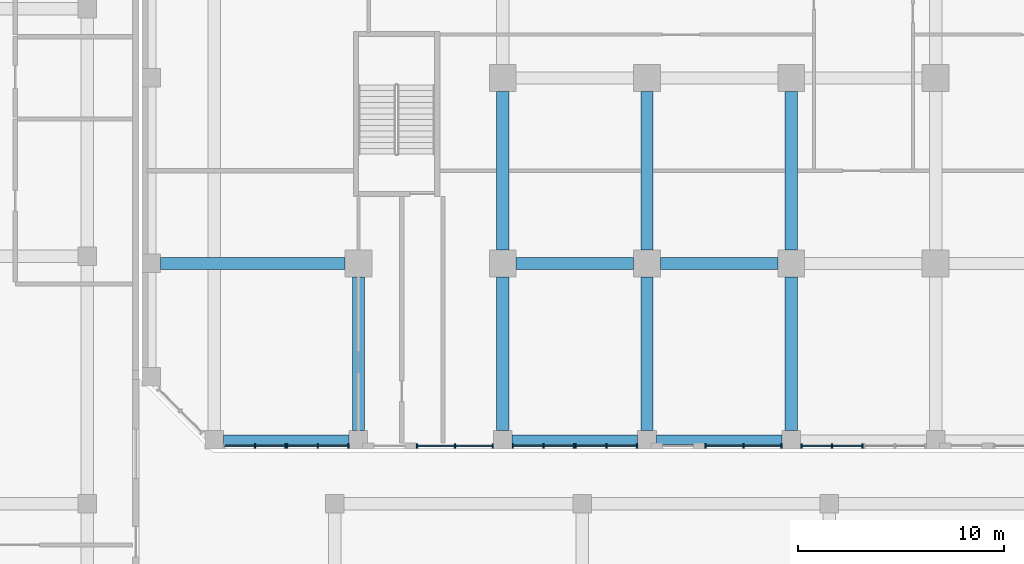
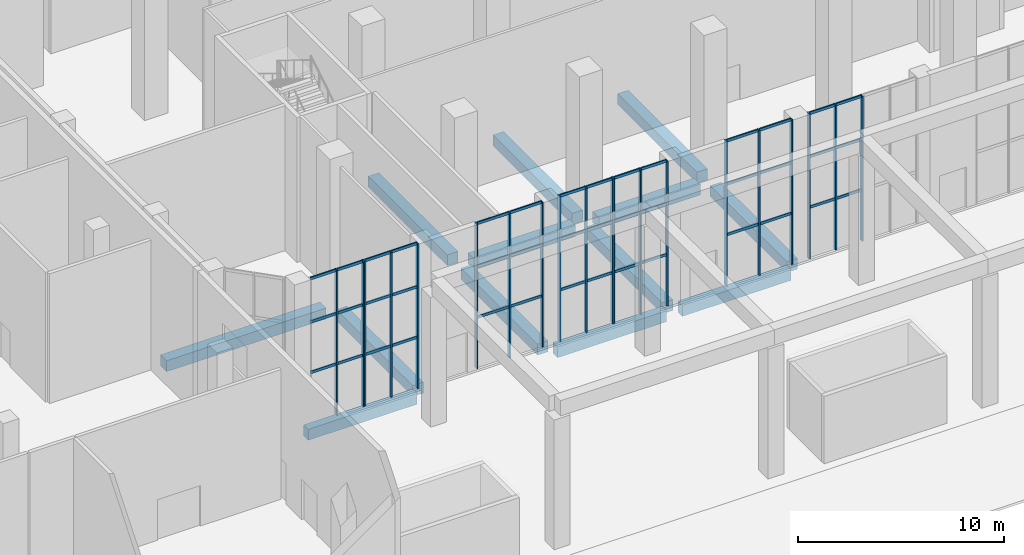
# One storey, part 5 of 43: 62 members, 13 beams, 7 elements without a shape of their own.
"""IFC4 building model written with IfcOpenShell, lengths in metres."""

from ifc_helpers import new_model, si_unit, direction, frame, origin, origin_2d, place, context, subcontext, project, spatial, rectangle, extrude, source, transform, mapped, material, material_profile, profile_set, type_object, element, aggregate, save


model = new_model("IFC4")

# Units and contexts
model_context = context("Model", 3, precision=1e-05, world=origin(), true_north=direction((0.0, 1.0)))
body_context = subcontext(model_context, "Body", "Model", "MODEL_VIEW")
ifc_project = project(units=[si_unit("LENGTHUNIT", "METRE"), si_unit("AREAUNIT", "SQUARE_METRE"), si_unit("VOLUMEUNIT", "CUBIC_METRE"), si_unit("PLANEANGLEUNIT", "RADIAN"), si_unit("MASSUNIT", "GRAM", prefix="KILO")], contexts=[model_context])

# Site, building, storey
site_placement = place(None, origin())
site = spatial("IfcSite", under=ifc_project, at=site_placement, CompositionType="ELEMENT")
building_placement = place(site_placement, origin())
building = spatial("IfcBuilding", under=site, at=building_placement, Name="Kilnfold Tower and Market Hall", CompositionType="ELEMENT")
storey_placement = place(building_placement, origin())
storey = spatial("IfcBuildingStorey", under=building, at=storey_placement, Name="L00", CompositionType="ELEMENT", Elevation=0.0)

# Beams
ifc_material_1 = material(Name="Concrete C45", Category="concrete")
ifc_material_profile_1 = material_profile(ifc_material_1, rectangle(XDim=0.449951171875, YDim=0.64990234375, at=origin_2d()), Name="RC 450x650")
ifc_profile_set_1 = profile_set([ifc_material_profile_1], Name="Concrete C45")
beam_type_1 = type_object("IfcBeamType", Name="EDGE BEAM 450X650 C45", PredefinedType="BEAM", material=ifc_profile_set_1)
shared_shape_1 = source(origin(), body_context, "Body", "SweptSolid", [
    extrude(rectangle(XDim=0.449951171875, YDim=0.64990234375, at=origin_2d()), origin(), (0.0, 0.0, 1.0), 6.10009765625),
])
for number, where, z_axis, x_axis, name in (
    (1, (-24.050048828125, -27.550048828125, -0.735107421875), (1.0, 0.0, 0.0), (0.0, 1.0, 0.0), "Beam EB650-B1.1"),
    (2, (-10.050048828125, -27.550048828125, -0.735107421875), (1.0, 0.0, 0.0), (0.0, 1.0, 0.0), "Beam EB650-B1.2"),
    (3, (-3.050048828125, -27.550048828125, -0.735107421875), (1.0, 0.0, 0.0), (0.0, 1.0, 0.0), "Beam EB650-B1.3"),
):
    element("IfcBeam", number, at=place(storey_placement, frame(where, z_axis=z_axis, x_axis=x_axis)), inside=storey, type_object=beam_type_1, Name=name, PredefinedType="BEAM", context=body_context, shape_type="MappedRepresentation", body=[
        mapped(shared_shape_1, transform((0.0, 0.0, 0.0))),
    ])
ifc_material_2 = material(Name="Concrete C45", Category="concrete")
ifc_material_profile_2 = material_profile(ifc_material_2, rectangle(XDim=0.60009765625, YDim=0.64990234375, at=origin_2d()), Name="RC 600x650")
ifc_profile_set_2 = profile_set([ifc_material_profile_2], Name="Concrete C45")
beam_type_2 = type_object("IfcBeamType", Name="BEAM 600X650 C45", PredefinedType="BEAM", material=ifc_profile_set_2)
shared_shape_2 = source(origin(), body_context, "Body", "SweptSolid", [
    extrude(rectangle(XDim=0.60009765625, YDim=0.64990234375, at=origin_2d()), origin(), (0.0, 0.0, 1.0), 8.9501953125),
])
beam_placement = place(storey_placement, frame((-27.10009765625, -19.0, -0.735107421875), z_axis=(1.0, 0.0, 0.0), x_axis=(0.0, 1.0, 0.0)))
element("IfcBeam", 4, at=beam_placement, inside=storey, type_object=beam_type_2, Name="Beam BB650-B1.7", PredefinedType="BEAM", context=body_context, shape_type="MappedRepresentation", body=[
    mapped(shared_shape_2, transform((0.0, 0.0, 0.0))),
])
shared_shape_3 = source(origin(), body_context, "Body", "SweptSolid", [
    extrude(rectangle(XDim=0.60009765625, YDim=0.64990234375, at=origin_2d()), origin(), (0.0, 0.0, 1.0), 5.7001953125),
])
for number, where, z_axis, x_axis, name in (
    (5, (-9.85009765625, -19.0, -0.735107421875), (1.0, 0.0, 0.0), (0.0, 1.0, 0.0), "Beam BB650-B1.8"),
    (6, (-2.85009765625, -19.0, -0.735107421875), (1.0, 0.0, 0.0), (0.0, 1.0, 0.0), "Beam BB650-B1.9"),
):
    element("IfcBeam", number, at=place(storey_placement, frame(where, z_axis=z_axis, x_axis=x_axis)), inside=storey, type_object=beam_type_2, Name=name, PredefinedType="BEAM", context=body_context, shape_type="MappedRepresentation", body=[
        mapped(shared_shape_3, transform((0.0, 0.0, 0.0))),
    ])
shared_shape_4 = source(origin(), body_context, "Body", "SweptSolid", [
    extrude(rectangle(XDim=0.60009765625, YDim=0.64990234375, at=origin_2d()), origin(), (0.0, 0.0, 1.0), 7.4501953125),
])
for number, where, z_axis, x_axis, name in (
    (7, (-17.5, -27.10009765625, -0.735107421875), (0.0, 1.0, 0.0), (-1.0, 0.0, 0.0), "Beam BB650-B1.36"),
    (8, (-10.5, -27.10009765625, -0.735107421875), (0.0, 1.0, 0.0), (-1.0, 0.0, 0.0), "Beam BB650-B1.40"),
    (9, (-3.5, -27.10009765625, -0.735107421875), (0.0, 1.0, 0.0), (-1.0, 0.0, 0.0), "Beam BB650-B1.43"),
    (10, (3.5, -27.10009765625, -0.735107421875), (0.0, 1.0, 0.0), (-1.0, 0.0, 0.0), "Beam BB650-B1.45"),
):
    element("IfcBeam", number, at=place(storey_placement, frame(where, z_axis=z_axis, x_axis=x_axis)), inside=storey, type_object=beam_type_2, Name=name, PredefinedType="BEAM", context=body_context, shape_type="MappedRepresentation", body=[
        mapped(shared_shape_4, transform((0.0, 0.0, 0.0))),
    ])
shared_shape_5 = source(origin(), body_context, "Body", "SweptSolid", [
    extrude(rectangle(XDim=0.60009765625, YDim=0.64990234375, at=origin_2d()), origin(), (0.0, 0.0, 1.0), 7.7001953125),
])
for number, where, z_axis, x_axis, name in (
    (11, (-10.5, -18.35009765625, -0.735107421875), (0.0, 1.0, 0.0), (-1.0, 0.0, 0.0), "Beam BB650-B1.41"),
    (12, (-3.5, -18.35009765625, -0.735107421875), (0.0, 1.0, 0.0), (-1.0, 0.0, 0.0), "Beam BB650-B1.44"),
    (13, (3.5, -18.35009765625, -0.735107421875), (0.0, 1.0, 0.0), (-1.0, 0.0, 0.0), "Beam BB650-B1.46"),
):
    element("IfcBeam", number, at=place(storey_placement, frame(where, z_axis=z_axis, x_axis=x_axis)), inside=storey, type_object=beam_type_2, Name=name, PredefinedType="BEAM", context=body_context, shape_type="MappedRepresentation", body=[
        mapped(shared_shape_5, transform((0.0, 0.0, 0.0))),
    ])

# Curtain wall, members
ifc_material_3 = material(Name="Aluminium and double glazing", Category="aluminium")
curtain_wall_type = type_object("IfcCurtainWallType", Name="CW BASE PODIUM GLAZING", PredefinedType="NOTDEFINED", material=ifc_material_3)
curtain_wall_1_placement = place(storey_placement, origin())
curtain_wall_1 = element("IfcCurtainWall", 14, at=curtain_wall_1_placement, inside=storey, type_object=curtain_wall_type, Name="Curtain wall CW4 L00 S", PredefinedType="NOTDEFINED")
ifc_material_4 = material(Name="Aluminium", Category="aluminium")
ifc_material_profile_3 = material_profile(ifc_material_4, rectangle(XDim=0.070068359375, YDim=0.219970703125, at=origin_2d()), Name="MULLION 70x220")
ifc_profile_set_3 = profile_set([ifc_material_profile_3], Name="Aluminium")
member_type_1 = type_object("IfcMemberType", Name="MULLION 70X220", PredefinedType="MULLION", material=ifc_profile_set_3)
shared_shape_6 = source(origin(), body_context, "Body", "SweptSolid", [
    extrude(rectangle(XDim=0.070068359375, YDim=0.219970703125, at=origin_2d()), origin(), (0.0, 0.0, 1.0), 8.60009765625),
])
member_1_placement = place(storey_placement, frame((-22.52490234375, -27.85009765625, 0.0), z_axis=(0.0, 0.0, 1.0), x_axis=(1.0, 0.0, 0.0)))
member_1 = element("IfcMember", 15, at=member_1_placement, type_object=member_type_1, Name="CW4 mullion 2", PredefinedType="MULLION", context=body_context, shape_type="MappedRepresentation", body=[
    mapped(shared_shape_6, transform((0.0, 0.0, 0.0))),
])
member_2_placement = place(storey_placement, frame((-21.034912109375, -27.85009765625, 0.0), z_axis=(0.0, 0.0, 1.0), x_axis=(1.0, 0.0, 0.0)))
member_2 = element("IfcMember", 16, at=member_2_placement, type_object=member_type_1, Name="CW4 mullion 3", PredefinedType="MULLION", context=body_context, shape_type="MappedRepresentation", body=[
    mapped(shared_shape_6, transform((0.0, 0.0, 0.0))),
])

curtain_wall_2_placement = place(storey_placement, origin())
curtain_wall_2 = element("IfcCurtainWall", 17, at=curtain_wall_2_placement, inside=storey, type_object=curtain_wall_type, Name="Curtain wall CW4 L00 S", PredefinedType="NOTDEFINED")
member_3_placement = place(storey_placement, frame((-20.965087890625, -27.85009765625, 0.0), z_axis=(0.0, 0.0, 1.0), x_axis=(1.0, 0.0, 0.0)))
member_3 = element("IfcMember", 18, at=member_3_placement, type_object=member_type_1, Name="CW4 mullion 1", PredefinedType="MULLION", context=body_context, shape_type="MappedRepresentation", body=[
    mapped(shared_shape_6, transform((0.0, 0.0, 0.0))),
])
member_4_placement = place(storey_placement, frame((-19.47509765625, -27.85009765625, 0.0), z_axis=(0.0, 0.0, 1.0), x_axis=(1.0, 0.0, 0.0)))
member_4 = element("IfcMember", 19, at=member_4_placement, type_object=member_type_1, Name="CW4 mullion 2", PredefinedType="MULLION", context=body_context, shape_type="MappedRepresentation", body=[
    mapped(shared_shape_6, transform((0.0, 0.0, 0.0))),
])
member_5_placement = place(storey_placement, frame((-17.985107421875, -27.85009765625, 0.0), z_axis=(0.0, 0.0, 1.0), x_axis=(1.0, 0.0, 0.0)))
member_5 = element("IfcMember", 20, at=member_5_placement, type_object=member_type_1, Name="CW4 mullion 3", PredefinedType="MULLION", context=body_context, shape_type="MappedRepresentation", body=[
    mapped(shared_shape_6, transform((0.0, 0.0, 0.0))),
])

curtain_wall_3_placement = place(storey_placement, origin())
curtain_wall_3 = element("IfcCurtainWall", 21, at=curtain_wall_3_placement, inside=storey, type_object=curtain_wall_type, Name="Curtain wall CW4 L00 S", PredefinedType="NOTDEFINED")
member_6_placement = place(storey_placement, frame((-14.6650390625, -27.85009765625, 0.0), z_axis=(0.0, 0.0, 1.0), x_axis=(1.0, 0.0, 0.0)))
member_6 = element("IfcMember", 22, at=member_6_placement, type_object=member_type_1, Name="CW4 mullion 1", PredefinedType="MULLION", context=body_context, shape_type="MappedRepresentation", body=[
    mapped(shared_shape_6, transform((0.0, 0.0, 0.0))),
])
member_7_placement = place(storey_placement, frame((-12.824951171875, -27.85009765625, 0.0), z_axis=(0.0, 0.0, 1.0), x_axis=(1.0, 0.0, 0.0)))
member_7 = element("IfcMember", 23, at=member_7_placement, type_object=member_type_1, Name="CW4 mullion 2", PredefinedType="MULLION", context=body_context, shape_type="MappedRepresentation", body=[
    mapped(shared_shape_6, transform((0.0, 0.0, 0.0))),
])
member_8_placement = place(storey_placement, frame((-10.985107421875, -27.85009765625, 0.0), z_axis=(0.0, 0.0, 1.0), x_axis=(1.0, 0.0, 0.0)))
member_8 = element("IfcMember", 24, at=member_8_placement, type_object=member_type_1, Name="CW4 mullion 3", PredefinedType="MULLION", context=body_context, shape_type="MappedRepresentation", body=[
    mapped(shared_shape_6, transform((0.0, 0.0, 0.0))),
])

curtain_wall_4_placement = place(storey_placement, origin())
curtain_wall_4 = element("IfcCurtainWall", 25, at=curtain_wall_4_placement, inside=storey, type_object=curtain_wall_type, Name="Curtain wall CW4 L00 S", PredefinedType="NOTDEFINED")
member_9_placement = place(storey_placement, frame((-10.014892578125, -27.85009765625, 0.0), z_axis=(0.0, 0.0, 1.0), x_axis=(1.0, 0.0, 0.0)))
member_9 = element("IfcMember", 26, at=member_9_placement, type_object=member_type_1, Name="CW4 mullion 1", PredefinedType="MULLION", context=body_context, shape_type="MappedRepresentation", body=[
    mapped(shared_shape_6, transform((0.0, 0.0, 0.0))),
])
member_10_placement = place(storey_placement, frame((-8.52490234375, -27.85009765625, 0.0), z_axis=(0.0, 0.0, 1.0), x_axis=(1.0, 0.0, 0.0)))
member_10 = element("IfcMember", 27, at=member_10_placement, type_object=member_type_1, Name="CW4 mullion 2", PredefinedType="MULLION", context=body_context, shape_type="MappedRepresentation", body=[
    mapped(shared_shape_6, transform((0.0, 0.0, 0.0))),
])
member_11_placement = place(storey_placement, frame((-7.034912109375, -27.85009765625, 0.0), z_axis=(0.0, 0.0, 1.0), x_axis=(1.0, 0.0, 0.0)))
member_11 = element("IfcMember", 28, at=member_11_placement, type_object=member_type_1, Name="CW4 mullion 3", PredefinedType="MULLION", context=body_context, shape_type="MappedRepresentation", body=[
    mapped(shared_shape_6, transform((0.0, 0.0, 0.0))),
])

curtain_wall_5_placement = place(storey_placement, origin())
curtain_wall_5 = element("IfcCurtainWall", 29, at=curtain_wall_5_placement, inside=storey, type_object=curtain_wall_type, Name="Curtain wall CW4 L00 S", PredefinedType="NOTDEFINED")
member_12_placement = place(storey_placement, frame((-6.965087890625, -27.85009765625, 0.0), z_axis=(0.0, 0.0, 1.0), x_axis=(1.0, 0.0, 0.0)))
member_12 = element("IfcMember", 30, at=member_12_placement, type_object=member_type_1, Name="CW4 mullion 1", PredefinedType="MULLION", context=body_context, shape_type="MappedRepresentation", body=[
    mapped(shared_shape_6, transform((0.0, 0.0, 0.0))),
])
member_13_placement = place(storey_placement, frame((-5.47509765625, -27.85009765625, 0.0), z_axis=(0.0, 0.0, 1.0), x_axis=(1.0, 0.0, 0.0)))
member_13 = element("IfcMember", 31, at=member_13_placement, type_object=member_type_1, Name="CW4 mullion 2", PredefinedType="MULLION", context=body_context, shape_type="MappedRepresentation", body=[
    mapped(shared_shape_6, transform((0.0, 0.0, 0.0))),
])
member_14_placement = place(storey_placement, frame((-3.985107421875, -27.85009765625, 0.0), z_axis=(0.0, 0.0, 1.0), x_axis=(1.0, 0.0, 0.0)))
member_14 = element("IfcMember", 32, at=member_14_placement, type_object=member_type_1, Name="CW4 mullion 3", PredefinedType="MULLION", context=body_context, shape_type="MappedRepresentation", body=[
    mapped(shared_shape_6, transform((0.0, 0.0, 0.0))),
])

curtain_wall_6_placement = place(storey_placement, origin())
curtain_wall_6 = element("IfcCurtainWall", 33, at=curtain_wall_6_placement, inside=storey, type_object=curtain_wall_type, Name="Curtain wall CW4 L00 S", PredefinedType="NOTDEFINED")
member_15_placement = place(storey_placement, frame((-0.6650390625, -27.85009765625, 0.0), z_axis=(0.0, 0.0, 1.0), x_axis=(1.0, 0.0, 0.0)))
member_15 = element("IfcMember", 34, at=member_15_placement, type_object=member_type_1, Name="CW4 mullion 1", PredefinedType="MULLION", context=body_context, shape_type="MappedRepresentation", body=[
    mapped(shared_shape_6, transform((0.0, 0.0, 0.0))),
])
member_16_placement = place(storey_placement, frame((1.175048828125, -27.85009765625, 0.0), z_axis=(0.0, 0.0, 1.0), x_axis=(1.0, 0.0, 0.0)))
member_16 = element("IfcMember", 35, at=member_16_placement, type_object=member_type_1, Name="CW4 mullion 2", PredefinedType="MULLION", context=body_context, shape_type="MappedRepresentation", body=[
    mapped(shared_shape_6, transform((0.0, 0.0, 0.0))),
])
member_17_placement = place(storey_placement, frame((3.014892578125, -27.85009765625, 0.0), z_axis=(0.0, 0.0, 1.0), x_axis=(1.0, 0.0, 0.0)))
member_17 = element("IfcMember", 36, at=member_17_placement, type_object=member_type_1, Name="CW4 mullion 3", PredefinedType="MULLION", context=body_context, shape_type="MappedRepresentation", body=[
    mapped(shared_shape_6, transform((0.0, 0.0, 0.0))),
])

curtain_wall_7_placement = place(storey_placement, origin())
curtain_wall_7 = element("IfcCurtainWall", 37, at=curtain_wall_7_placement, inside=storey, type_object=curtain_wall_type, Name="Curtain wall CW4 L00 S", PredefinedType="NOTDEFINED")
member_18_placement = place(storey_placement, frame((3.985107421875, -27.85009765625, 0.0), z_axis=(0.0, 0.0, 1.0), x_axis=(1.0, 0.0, 0.0)))
member_18 = element("IfcMember", 38, at=member_18_placement, type_object=member_type_1, Name="CW4 mullion 1", PredefinedType="MULLION", context=body_context, shape_type="MappedRepresentation", body=[
    mapped(shared_shape_6, transform((0.0, 0.0, 0.0))),
])
member_19_placement = place(storey_placement, frame((5.47509765625, -27.85009765625, 0.0), z_axis=(0.0, 0.0, 1.0), x_axis=(1.0, 0.0, 0.0)))
member_19 = element("IfcMember", 39, at=member_19_placement, type_object=member_type_1, Name="CW4 mullion 2", PredefinedType="MULLION", context=body_context, shape_type="MappedRepresentation", body=[
    mapped(shared_shape_6, transform((0.0, 0.0, 0.0))),
])
member_20_placement = place(storey_placement, frame((6.965087890625, -27.85009765625, 0.0), z_axis=(0.0, 0.0, 1.0), x_axis=(1.0, 0.0, 0.0)))
member_20 = element("IfcMember", 40, at=member_20_placement, type_object=member_type_1, Name="CW4 mullion 3", PredefinedType="MULLION", context=body_context, shape_type="MappedRepresentation", body=[
    mapped(shared_shape_6, transform((0.0, 0.0, 0.0))),
])

# Member
ifc_material_5 = material(Name="Aluminium", Category="aluminium")
ifc_material_profile_4 = material_profile(ifc_material_5, rectangle(XDim=0.070068359375, YDim=0.159912109375, at=origin_2d()), Name="TRANSOM 70x160")
ifc_profile_set_4 = profile_set([ifc_material_profile_4], Name="Aluminium")
member_type_2 = type_object("IfcMemberType", Name="TRANSOM 70X160", PredefinedType="USERDEFINED", material=ifc_profile_set_4)
shared_shape_7 = source(origin(), body_context, "Body", "SweptSolid", [
    extrude(rectangle(XDim=0.070068359375, YDim=0.159912109375, at=origin_2d()), origin(), (0.0, 0.0, 1.0), 1.419921875),
])
member_21_placement = place(storey_placement, frame((-23.97998046875, -27.85009765625, 3.0), z_axis=(1.0, 0.0, 0.0), x_axis=(0.0, 1.0, 0.0)))
member_21 = element("IfcMember", 41, at=member_21_placement, type_object=member_type_2, Name="CW4 transom 1.2", ObjectType="TRANSOM", PredefinedType="USERDEFINED", context=body_context, shape_type="MappedRepresentation", body=[
    mapped(shared_shape_7, transform((0.0, 0.0, 0.0))),
])

member_22_placement = place(storey_placement, frame((-23.97998046875, -27.85009765625, 6.0), z_axis=(1.0, 0.0, 0.0), x_axis=(0.0, 1.0, 0.0)))
member_22 = element("IfcMember", 42, at=member_22_placement, type_object=member_type_2, Name="CW4 transom 1.3", ObjectType="TRANSOM", PredefinedType="USERDEFINED", context=body_context, shape_type="MappedRepresentation", body=[
    mapped(shared_shape_7, transform((0.0, 0.0, 0.0))),
])

member_23_placement = place(storey_placement, frame((-23.97998046875, -27.85009765625, 8.56494140625), z_axis=(1.0, 0.0, 0.0), x_axis=(0.0, 1.0, 0.0)))
member_23 = element("IfcMember", 43, at=member_23_placement, type_object=member_type_2, Name="CW4 transom 1.4", ObjectType="TRANSOM", PredefinedType="USERDEFINED", context=body_context, shape_type="MappedRepresentation", body=[
    mapped(shared_shape_7, transform((0.0, 0.0, 0.0))),
])

member_24_placement = place(storey_placement, frame((-22.489990234375, -27.85009765625, 3.0), z_axis=(1.0, 0.0, 0.0), x_axis=(0.0, 1.0, 0.0)))
member_24 = element("IfcMember", 44, at=member_24_placement, type_object=member_type_2, Name="CW4 transom 2.2", ObjectType="TRANSOM", PredefinedType="USERDEFINED", context=body_context, shape_type="MappedRepresentation", body=[
    mapped(shared_shape_7, transform((0.0, 0.0, 0.0))),
])

member_25_placement = place(storey_placement, frame((-22.489990234375, -27.85009765625, 6.0), z_axis=(1.0, 0.0, 0.0), x_axis=(0.0, 1.0, 0.0)))
member_25 = element("IfcMember", 45, at=member_25_placement, type_object=member_type_2, Name="CW4 transom 2.3", ObjectType="TRANSOM", PredefinedType="USERDEFINED", context=body_context, shape_type="MappedRepresentation", body=[
    mapped(shared_shape_7, transform((0.0, 0.0, 0.0))),
])

member_26_placement = place(storey_placement, frame((-22.489990234375, -27.85009765625, 8.56494140625), z_axis=(1.0, 0.0, 0.0), x_axis=(0.0, 1.0, 0.0)))
member_26 = element("IfcMember", 46, at=member_26_placement, type_object=member_type_2, Name="CW4 transom 2.4", ObjectType="TRANSOM", PredefinedType="USERDEFINED", context=body_context, shape_type="MappedRepresentation", body=[
    mapped(shared_shape_7, transform((0.0, 0.0, 0.0))),
])

aggregate(curtain_wall_1, [member_1, member_2, member_21, member_22, member_23, member_24, member_25, member_26])

member_27_placement = place(storey_placement, frame((-20.929931640625, -27.85009765625, 3.0), z_axis=(1.0, 0.0, 0.0), x_axis=(0.0, 1.0, 0.0)))
member_27 = element("IfcMember", 47, at=member_27_placement, type_object=member_type_2, Name="CW4 transom 1.2", ObjectType="TRANSOM", PredefinedType="USERDEFINED", context=body_context, shape_type="MappedRepresentation", body=[
    mapped(shared_shape_7, transform((0.0, 0.0, 0.0))),
])

member_28_placement = place(storey_placement, frame((-20.929931640625, -27.85009765625, 6.0), z_axis=(1.0, 0.0, 0.0), x_axis=(0.0, 1.0, 0.0)))
member_28 = element("IfcMember", 48, at=member_28_placement, type_object=member_type_2, Name="CW4 transom 1.3", ObjectType="TRANSOM", PredefinedType="USERDEFINED", context=body_context, shape_type="MappedRepresentation", body=[
    mapped(shared_shape_7, transform((0.0, 0.0, 0.0))),
])

member_29_placement = place(storey_placement, frame((-20.929931640625, -27.85009765625, 8.56494140625), z_axis=(1.0, 0.0, 0.0), x_axis=(0.0, 1.0, 0.0)))
member_29 = element("IfcMember", 49, at=member_29_placement, type_object=member_type_2, Name="CW4 transom 1.4", ObjectType="TRANSOM", PredefinedType="USERDEFINED", context=body_context, shape_type="MappedRepresentation", body=[
    mapped(shared_shape_7, transform((0.0, 0.0, 0.0))),
])

member_30_placement = place(storey_placement, frame((-19.43994140625, -27.85009765625, 3.0), z_axis=(1.0, 0.0, 0.0), x_axis=(0.0, 1.0, 0.0)))
member_30 = element("IfcMember", 50, at=member_30_placement, type_object=member_type_2, Name="CW4 transom 2.2", ObjectType="TRANSOM", PredefinedType="USERDEFINED", context=body_context, shape_type="MappedRepresentation", body=[
    mapped(shared_shape_7, transform((0.0, 0.0, 0.0))),
])

member_31_placement = place(storey_placement, frame((-19.43994140625, -27.85009765625, 6.0), z_axis=(1.0, 0.0, 0.0), x_axis=(0.0, 1.0, 0.0)))
member_31 = element("IfcMember", 51, at=member_31_placement, type_object=member_type_2, Name="CW4 transom 2.3", ObjectType="TRANSOM", PredefinedType="USERDEFINED", context=body_context, shape_type="MappedRepresentation", body=[
    mapped(shared_shape_7, transform((0.0, 0.0, 0.0))),
])

member_32_placement = place(storey_placement, frame((-19.43994140625, -27.85009765625, 8.56494140625), z_axis=(1.0, 0.0, 0.0), x_axis=(0.0, 1.0, 0.0)))
member_32 = element("IfcMember", 52, at=member_32_placement, type_object=member_type_2, Name="CW4 transom 2.4", ObjectType="TRANSOM", PredefinedType="USERDEFINED", context=body_context, shape_type="MappedRepresentation", body=[
    mapped(shared_shape_7, transform((0.0, 0.0, 0.0))),
])

aggregate(curtain_wall_2, [member_3, member_4, member_5, member_27, member_28, member_29, member_30, member_31, member_32])

member_33_placement = place(storey_placement, frame((-9.97998046875, -27.85009765625, 3.0), z_axis=(1.0, 0.0, 0.0), x_axis=(0.0, 1.0, 0.0)))
member_33 = element("IfcMember", 53, at=member_33_placement, type_object=member_type_2, Name="CW4 transom 1.2", ObjectType="TRANSOM", PredefinedType="USERDEFINED", context=body_context, shape_type="MappedRepresentation", body=[
    mapped(shared_shape_7, transform((0.0, 0.0, 0.0))),
])

member_34_placement = place(storey_placement, frame((-9.97998046875, -27.85009765625, 6.0), z_axis=(1.0, 0.0, 0.0), x_axis=(0.0, 1.0, 0.0)))
member_34 = element("IfcMember", 54, at=member_34_placement, type_object=member_type_2, Name="CW4 transom 1.3", ObjectType="TRANSOM", PredefinedType="USERDEFINED", context=body_context, shape_type="MappedRepresentation", body=[
    mapped(shared_shape_7, transform((0.0, 0.0, 0.0))),
])

member_35_placement = place(storey_placement, frame((-9.97998046875, -27.85009765625, 8.56494140625), z_axis=(1.0, 0.0, 0.0), x_axis=(0.0, 1.0, 0.0)))
member_35 = element("IfcMember", 55, at=member_35_placement, type_object=member_type_2, Name="CW4 transom 1.4", ObjectType="TRANSOM", PredefinedType="USERDEFINED", context=body_context, shape_type="MappedRepresentation", body=[
    mapped(shared_shape_7, transform((0.0, 0.0, 0.0))),
])

member_36_placement = place(storey_placement, frame((-8.489990234375, -27.85009765625, 3.0), z_axis=(1.0, 0.0, 0.0), x_axis=(0.0, 1.0, 0.0)))
member_36 = element("IfcMember", 56, at=member_36_placement, type_object=member_type_2, Name="CW4 transom 2.2", ObjectType="TRANSOM", PredefinedType="USERDEFINED", context=body_context, shape_type="MappedRepresentation", body=[
    mapped(shared_shape_7, transform((0.0, 0.0, 0.0))),
])

member_37_placement = place(storey_placement, frame((-8.489990234375, -27.85009765625, 6.0), z_axis=(1.0, 0.0, 0.0), x_axis=(0.0, 1.0, 0.0)))
member_37 = element("IfcMember", 57, at=member_37_placement, type_object=member_type_2, Name="CW4 transom 2.3", ObjectType="TRANSOM", PredefinedType="USERDEFINED", context=body_context, shape_type="MappedRepresentation", body=[
    mapped(shared_shape_7, transform((0.0, 0.0, 0.0))),
])

member_38_placement = place(storey_placement, frame((-8.489990234375, -27.85009765625, 8.56494140625), z_axis=(1.0, 0.0, 0.0), x_axis=(0.0, 1.0, 0.0)))
member_38 = element("IfcMember", 58, at=member_38_placement, type_object=member_type_2, Name="CW4 transom 2.4", ObjectType="TRANSOM", PredefinedType="USERDEFINED", context=body_context, shape_type="MappedRepresentation", body=[
    mapped(shared_shape_7, transform((0.0, 0.0, 0.0))),
])

aggregate(curtain_wall_4, [member_9, member_10, member_11, member_33, member_34, member_35, member_36, member_37, member_38])

member_39_placement = place(storey_placement, frame((-6.929931640625, -27.85009765625, 3.0), z_axis=(1.0, 0.0, 0.0), x_axis=(0.0, 1.0, 0.0)))
member_39 = element("IfcMember", 59, at=member_39_placement, type_object=member_type_2, Name="CW4 transom 1.2", ObjectType="TRANSOM", PredefinedType="USERDEFINED", context=body_context, shape_type="MappedRepresentation", body=[
    mapped(shared_shape_7, transform((0.0, 0.0, 0.0))),
])

member_40_placement = place(storey_placement, frame((-6.929931640625, -27.85009765625, 6.0), z_axis=(1.0, 0.0, 0.0), x_axis=(0.0, 1.0, 0.0)))
member_40 = element("IfcMember", 60, at=member_40_placement, type_object=member_type_2, Name="CW4 transom 1.3", ObjectType="TRANSOM", PredefinedType="USERDEFINED", context=body_context, shape_type="MappedRepresentation", body=[
    mapped(shared_shape_7, transform((0.0, 0.0, 0.0))),
])

member_41_placement = place(storey_placement, frame((-6.929931640625, -27.85009765625, 8.56494140625), z_axis=(1.0, 0.0, 0.0), x_axis=(0.0, 1.0, 0.0)))
member_41 = element("IfcMember", 61, at=member_41_placement, type_object=member_type_2, Name="CW4 transom 1.4", ObjectType="TRANSOM", PredefinedType="USERDEFINED", context=body_context, shape_type="MappedRepresentation", body=[
    mapped(shared_shape_7, transform((0.0, 0.0, 0.0))),
])

member_42_placement = place(storey_placement, frame((-5.43994140625, -27.85009765625, 3.0), z_axis=(1.0, 0.0, 0.0), x_axis=(0.0, 1.0, 0.0)))
member_42 = element("IfcMember", 62, at=member_42_placement, type_object=member_type_2, Name="CW4 transom 2.2", ObjectType="TRANSOM", PredefinedType="USERDEFINED", context=body_context, shape_type="MappedRepresentation", body=[
    mapped(shared_shape_7, transform((0.0, 0.0, 0.0))),
])

member_43_placement = place(storey_placement, frame((-5.43994140625, -27.85009765625, 6.0), z_axis=(1.0, 0.0, 0.0), x_axis=(0.0, 1.0, 0.0)))
member_43 = element("IfcMember", 63, at=member_43_placement, type_object=member_type_2, Name="CW4 transom 2.3", ObjectType="TRANSOM", PredefinedType="USERDEFINED", context=body_context, shape_type="MappedRepresentation", body=[
    mapped(shared_shape_7, transform((0.0, 0.0, 0.0))),
])

member_44_placement = place(storey_placement, frame((-5.43994140625, -27.85009765625, 8.56494140625), z_axis=(1.0, 0.0, 0.0), x_axis=(0.0, 1.0, 0.0)))
member_44 = element("IfcMember", 64, at=member_44_placement, type_object=member_type_2, Name="CW4 transom 2.4", ObjectType="TRANSOM", PredefinedType="USERDEFINED", context=body_context, shape_type="MappedRepresentation", body=[
    mapped(shared_shape_7, transform((0.0, 0.0, 0.0))),
])

aggregate(curtain_wall_5, [member_12, member_13, member_14, member_39, member_40, member_41, member_42, member_43, member_44])

member_45_placement = place(storey_placement, frame((4.02001953125, -27.85009765625, 3.0), z_axis=(1.0, 0.0, 0.0), x_axis=(0.0, 1.0, 0.0)))
member_45 = element("IfcMember", 65, at=member_45_placement, type_object=member_type_2, Name="CW4 transom 1.2", ObjectType="TRANSOM", PredefinedType="USERDEFINED", context=body_context, shape_type="MappedRepresentation", body=[
    mapped(shared_shape_7, transform((0.0, 0.0, 0.0))),
])

member_46_placement = place(storey_placement, frame((4.02001953125, -27.85009765625, 6.0), z_axis=(1.0, 0.0, 0.0), x_axis=(0.0, 1.0, 0.0)))
member_46 = element("IfcMember", 66, at=member_46_placement, type_object=member_type_2, Name="CW4 transom 1.3", ObjectType="TRANSOM", PredefinedType="USERDEFINED", context=body_context, shape_type="MappedRepresentation", body=[
    mapped(shared_shape_7, transform((0.0, 0.0, 0.0))),
])

member_47_placement = place(storey_placement, frame((4.02001953125, -27.85009765625, 8.56494140625), z_axis=(1.0, 0.0, 0.0), x_axis=(0.0, 1.0, 0.0)))
member_47 = element("IfcMember", 67, at=member_47_placement, type_object=member_type_2, Name="CW4 transom 1.4", ObjectType="TRANSOM", PredefinedType="USERDEFINED", context=body_context, shape_type="MappedRepresentation", body=[
    mapped(shared_shape_7, transform((0.0, 0.0, 0.0))),
])

member_48_placement = place(storey_placement, frame((5.510009765625, -27.85009765625, 3.0), z_axis=(1.0, 0.0, 0.0), x_axis=(0.0, 1.0, 0.0)))
member_48 = element("IfcMember", 68, at=member_48_placement, type_object=member_type_2, Name="CW4 transom 2.2", ObjectType="TRANSOM", PredefinedType="USERDEFINED", context=body_context, shape_type="MappedRepresentation", body=[
    mapped(shared_shape_7, transform((0.0, 0.0, 0.0))),
])

member_49_placement = place(storey_placement, frame((5.510009765625, -27.85009765625, 6.0), z_axis=(1.0, 0.0, 0.0), x_axis=(0.0, 1.0, 0.0)))
member_49 = element("IfcMember", 69, at=member_49_placement, type_object=member_type_2, Name="CW4 transom 2.3", ObjectType="TRANSOM", PredefinedType="USERDEFINED", context=body_context, shape_type="MappedRepresentation", body=[
    mapped(shared_shape_7, transform((0.0, 0.0, 0.0))),
])

member_50_placement = place(storey_placement, frame((5.510009765625, -27.85009765625, 8.56494140625), z_axis=(1.0, 0.0, 0.0), x_axis=(0.0, 1.0, 0.0)))
member_50 = element("IfcMember", 70, at=member_50_placement, type_object=member_type_2, Name="CW4 transom 2.4", ObjectType="TRANSOM", PredefinedType="USERDEFINED", context=body_context, shape_type="MappedRepresentation", body=[
    mapped(shared_shape_7, transform((0.0, 0.0, 0.0))),
])

aggregate(curtain_wall_7, [member_18, member_19, member_20, member_45, member_46, member_47, member_48, member_49, member_50])

shared_shape_8 = source(origin(), body_context, "Body", "SweptSolid", [
    extrude(rectangle(XDim=0.070068359375, YDim=0.159912109375, at=origin_2d()), origin(), (0.0, 0.0, 1.0), 1.769775390625),
])
member_51_placement = place(storey_placement, frame((-14.6298828125, -27.85009765625, 3.0), z_axis=(1.0, 0.0, 0.0), x_axis=(0.0, 1.0, 0.0)))
member_51 = element("IfcMember", 71, at=member_51_placement, type_object=member_type_2, Name="CW4 transom 1.2", ObjectType="TRANSOM", PredefinedType="USERDEFINED", context=body_context, shape_type="MappedRepresentation", body=[
    mapped(shared_shape_8, transform((0.0, 0.0, 0.0))),
])

member_52_placement = place(storey_placement, frame((-14.6298828125, -27.85009765625, 6.0), z_axis=(1.0, 0.0, 0.0), x_axis=(0.0, 1.0, 0.0)))
member_52 = element("IfcMember", 72, at=member_52_placement, type_object=member_type_2, Name="CW4 transom 1.3", ObjectType="TRANSOM", PredefinedType="USERDEFINED", context=body_context, shape_type="MappedRepresentation", body=[
    mapped(shared_shape_8, transform((0.0, 0.0, 0.0))),
])

member_53_placement = place(storey_placement, frame((-14.6298828125, -27.85009765625, 8.56494140625), z_axis=(1.0, 0.0, 0.0), x_axis=(0.0, 1.0, 0.0)))
member_53 = element("IfcMember", 73, at=member_53_placement, type_object=member_type_2, Name="CW4 transom 1.4", ObjectType="TRANSOM", PredefinedType="USERDEFINED", context=body_context, shape_type="MappedRepresentation", body=[
    mapped(shared_shape_8, transform((0.0, 0.0, 0.0))),
])

member_54_placement = place(storey_placement, frame((-0.6298828125, -27.85009765625, 3.0), z_axis=(1.0, 0.0, 0.0), x_axis=(0.0, 1.0, 0.0)))
member_54 = element("IfcMember", 74, at=member_54_placement, type_object=member_type_2, Name="CW4 transom 1.2", ObjectType="TRANSOM", PredefinedType="USERDEFINED", context=body_context, shape_type="MappedRepresentation", body=[
    mapped(shared_shape_8, transform((0.0, 0.0, 0.0))),
])

member_55_placement = place(storey_placement, frame((-0.6298828125, -27.85009765625, 6.0), z_axis=(1.0, 0.0, 0.0), x_axis=(0.0, 1.0, 0.0)))
member_55 = element("IfcMember", 75, at=member_55_placement, type_object=member_type_2, Name="CW4 transom 1.3", ObjectType="TRANSOM", PredefinedType="USERDEFINED", context=body_context, shape_type="MappedRepresentation", body=[
    mapped(shared_shape_8, transform((0.0, 0.0, 0.0))),
])

member_56_placement = place(storey_placement, frame((-0.6298828125, -27.85009765625, 8.56494140625), z_axis=(1.0, 0.0, 0.0), x_axis=(0.0, 1.0, 0.0)))
member_56 = element("IfcMember", 76, at=member_56_placement, type_object=member_type_2, Name="CW4 transom 1.4", ObjectType="TRANSOM", PredefinedType="USERDEFINED", context=body_context, shape_type="MappedRepresentation", body=[
    mapped(shared_shape_8, transform((0.0, 0.0, 0.0))),
])

shared_shape_9 = source(origin(), body_context, "Body", "SweptSolid", [
    extrude(rectangle(XDim=0.070068359375, YDim=0.159912109375, at=origin_2d()), origin(), (0.0, 0.0, 1.0), 1.77001953125),
])
member_57_placement = place(storey_placement, frame((-12.7900390625, -27.85009765625, 3.0), z_axis=(1.0, 0.0, 0.0), x_axis=(0.0, 1.0, 0.0)))
member_57 = element("IfcMember", 77, at=member_57_placement, type_object=member_type_2, Name="CW4 transom 2.2", ObjectType="TRANSOM", PredefinedType="USERDEFINED", context=body_context, shape_type="MappedRepresentation", body=[
    mapped(shared_shape_9, transform((0.0, 0.0, 0.0))),
])

member_58_placement = place(storey_placement, frame((-12.7900390625, -27.85009765625, 6.0), z_axis=(1.0, 0.0, 0.0), x_axis=(0.0, 1.0, 0.0)))
member_58 = element("IfcMember", 78, at=member_58_placement, type_object=member_type_2, Name="CW4 transom 2.3", ObjectType="TRANSOM", PredefinedType="USERDEFINED", context=body_context, shape_type="MappedRepresentation", body=[
    mapped(shared_shape_9, transform((0.0, 0.0, 0.0))),
])

member_59_placement = place(storey_placement, frame((-12.7900390625, -27.85009765625, 8.56494140625), z_axis=(1.0, 0.0, 0.0), x_axis=(0.0, 1.0, 0.0)))
member_59 = element("IfcMember", 79, at=member_59_placement, type_object=member_type_2, Name="CW4 transom 2.4", ObjectType="TRANSOM", PredefinedType="USERDEFINED", context=body_context, shape_type="MappedRepresentation", body=[
    mapped(shared_shape_9, transform((0.0, 0.0, 0.0))),
])

aggregate(curtain_wall_3, [member_6, member_7, member_8, member_51, member_52, member_53, member_57, member_58, member_59])

member_60_placement = place(storey_placement, frame((1.2099609375, -27.85009765625, 3.0), z_axis=(1.0, 0.0, 0.0), x_axis=(0.0, 1.0, 0.0)))
member_60 = element("IfcMember", 80, at=member_60_placement, type_object=member_type_2, Name="CW4 transom 2.2", ObjectType="TRANSOM", PredefinedType="USERDEFINED", context=body_context, shape_type="MappedRepresentation", body=[
    mapped(shared_shape_9, transform((0.0, 0.0, 0.0))),
])

member_61_placement = place(storey_placement, frame((1.2099609375, -27.85009765625, 6.0), z_axis=(1.0, 0.0, 0.0), x_axis=(0.0, 1.0, 0.0)))
member_61 = element("IfcMember", 81, at=member_61_placement, type_object=member_type_2, Name="CW4 transom 2.3", ObjectType="TRANSOM", PredefinedType="USERDEFINED", context=body_context, shape_type="MappedRepresentation", body=[
    mapped(shared_shape_9, transform((0.0, 0.0, 0.0))),
])

member_62_placement = place(storey_placement, frame((1.2099609375, -27.85009765625, 8.56494140625), z_axis=(1.0, 0.0, 0.0), x_axis=(0.0, 1.0, 0.0)))
member_62 = element("IfcMember", 82, at=member_62_placement, type_object=member_type_2, Name="CW4 transom 2.4", ObjectType="TRANSOM", PredefinedType="USERDEFINED", context=body_context, shape_type="MappedRepresentation", body=[
    mapped(shared_shape_9, transform((0.0, 0.0, 0.0))),
])

aggregate(curtain_wall_6, [member_15, member_16, member_17, member_54, member_55, member_56, member_60, member_61, member_62])

save(model, "model.ifc")
